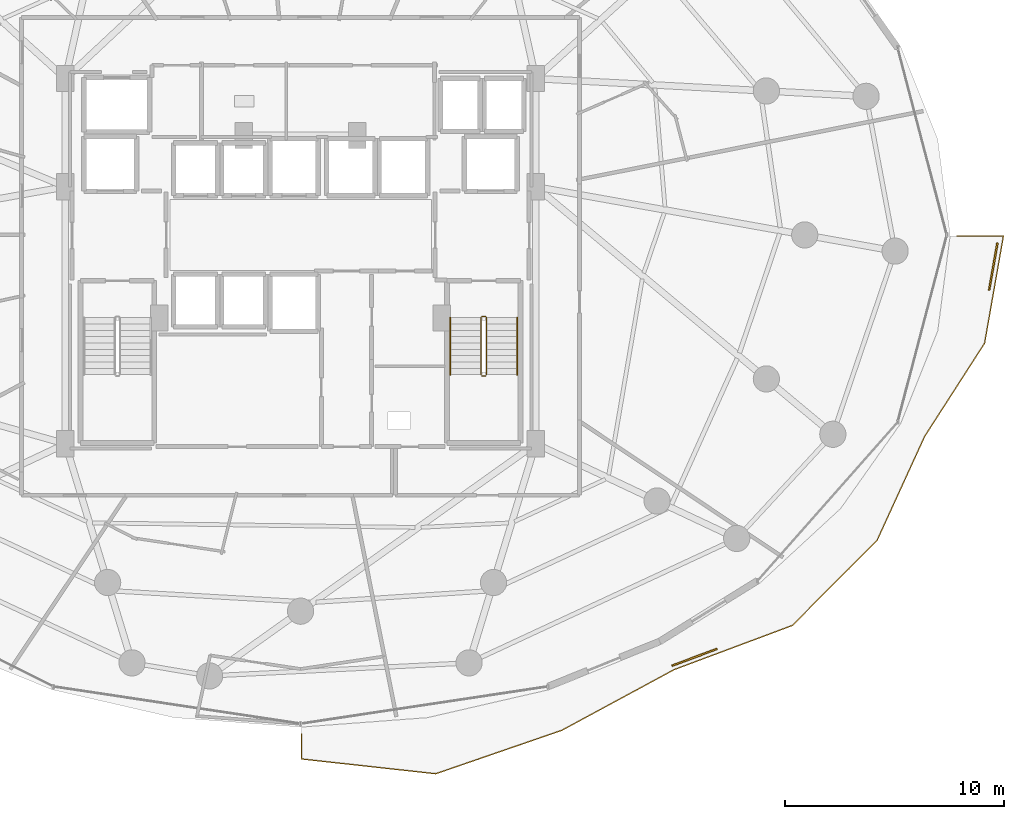
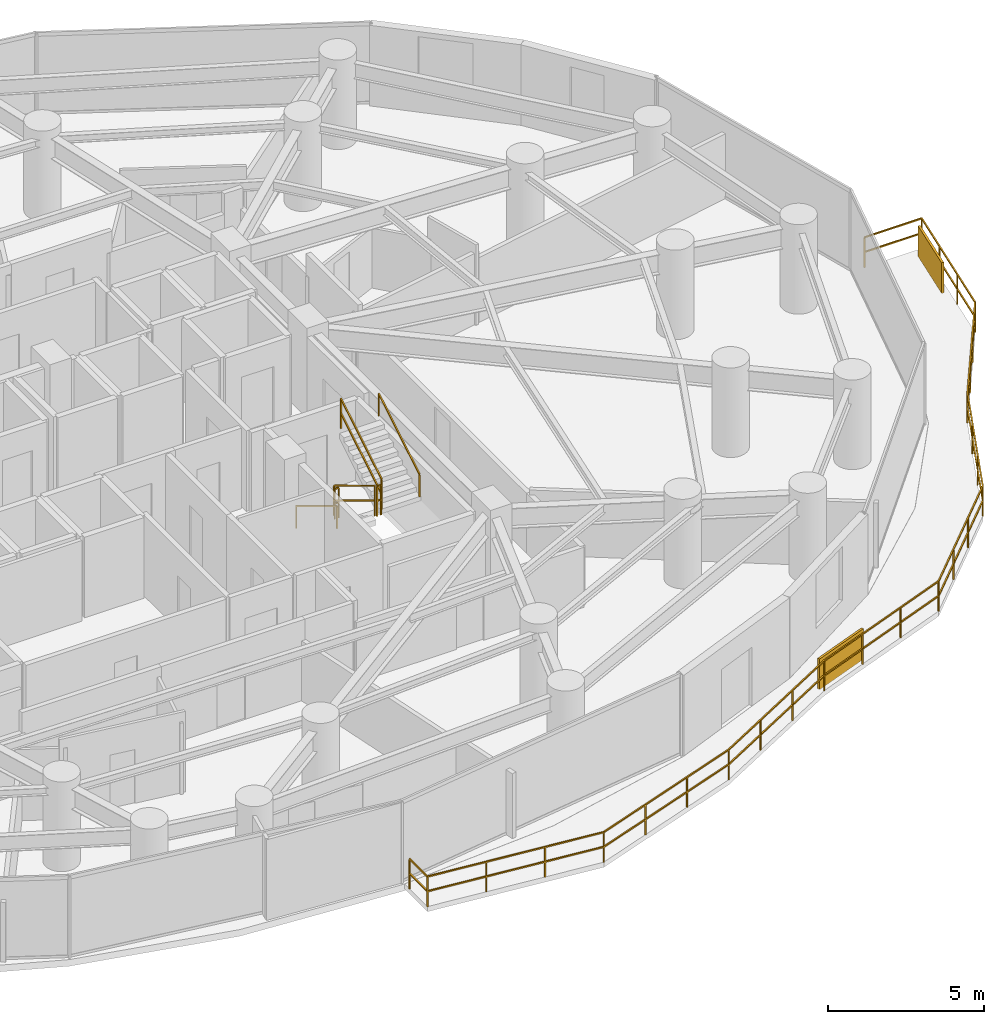
# One storey, part 32 of 34: 8 railings, 2 shading devices.
"""IFC4 building model written with IfcOpenShell, lengths in metres."""

from ifc_helpers import new_model, si_unit, direction, frame, origin, origin_2d, place, context, subcontext, project, spatial, rectangle, extrude, material, type_object, element, save


model = new_model("IFC4")

# Units and contexts
model_context = context("Model", 3, precision=1e-05, world=origin(), true_north=direction((0.0, 1.0)))
body_context = subcontext(model_context, "Body", "Model", "MODEL_VIEW")
ifc_project = project(units=[si_unit("LENGTHUNIT", "METRE"), si_unit("AREAUNIT", "SQUARE_METRE"), si_unit("VOLUMEUNIT", "CUBIC_METRE"), si_unit("PLANEANGLEUNIT", "RADIAN"), si_unit("MASSUNIT", "GRAM", prefix="KILO")], contexts=[model_context])

# Site, building, storey
site_placement = place(None, origin())
site = spatial("IfcSite", under=ifc_project, at=site_placement, CompositionType="ELEMENT")
building_placement = place(site_placement, origin())
building = spatial("IfcBuilding", under=site, at=building_placement, Name="Vorneva Point Tower", CompositionType="ELEMENT")
storey_placement = place(building_placement, frame((0.0, 0.0, 66.0)))
storey = spatial("IfcBuildingStorey", under=building, at=storey_placement, Name="L17", CompositionType="ELEMENT", Elevation=66.0)

# Railings
ifc_material_1 = material(Name="Pale anodised aluminium", Category="aluminium")
railing_type_1 = type_object("IfcRailingType", Name="RL-BAL-1200", PredefinedType="BALUSTRADE", material=ifc_material_1)
railing_1_placement = place(storey_placement, frame((69.2744140625, 21.047119140625, 0.0)))
element("IfcRailing", 1, at=railing_1_placement, inside=storey, type_object=railing_type_1, Name="L17 Wave Balcony Balustrade SE.1", PredefinedType="BALUSTRADE", context=body_context, shape_type="SweptSolid", body=[
    extrude(rectangle(XDim=0.048095703125, YDim=0.048095703125, at=origin_2d()), frame((0.0, 0.0, 1.17578125), z_axis=(0.173125012369, 0.9848998579, 0.0), x_axis=(-0.9848998579, 0.173125012369, 0.0)), (0.0, 0.0, 1.0), 4.97802734375),
    extrude(rectangle(XDim=0.048095703125, YDim=0.048095703125, at=origin_2d()), frame((0.0, 0.0, 0.60009765625), z_axis=(0.173125012369, 0.9848998579, 0.0), x_axis=(-0.9848998579, 0.173125012369, 0.0)), (0.0, 0.0, 1.0), 4.97802734375),
    extrude(rectangle(XDim=0.048095703125, YDim=0.048095703125, at=origin_2d()), frame((0.86181640625, 4.90283203125, 1.17578125), z_axis=(-1.0, 0.0, 0.0), x_axis=(0.0, -1.0, 0.0)), (0.0, 0.0, 1.0), 2.1201171875),
    extrude(rectangle(XDim=0.048095703125, YDim=0.048095703125, at=origin_2d()), frame((0.86181640625, 4.90283203125, 0.60009765625), z_axis=(-1.0, 0.0, 0.0), x_axis=(0.0, -1.0, 0.0)), (0.0, 0.0, 1.0), 2.1201171875),
    extrude(rectangle(XDim=0.0419921875, YDim=0.0419921875, at=origin_2d()), origin(), (0.0, 0.0, 1.0), 1.15185546875),
    extrude(rectangle(XDim=0.0419921875, YDim=0.0419921875, at=origin_2d()), frame((0.287353515625, 1.63427734375, 0.0)), (0.0, 0.0, 1.0), 1.15185546875),
    extrude(rectangle(XDim=0.0419921875, YDim=0.0419921875, at=origin_2d()), frame((0.574462890625, 3.2685546875, 0.0)), (0.0, 0.0, 1.0), 1.15185546875),
    extrude(rectangle(XDim=0.0419921875, YDim=0.0419921875, at=origin_2d()), frame((0.86181640625, 4.90283203125, 0.0)), (0.0, 0.0, 1.0), 1.15185546875),
    extrude(rectangle(XDim=0.0419921875, YDim=0.0419921875, at=origin_2d()), frame((-1.25830078125, 4.90283203125, 0.0)), (0.0, 0.0, 1.0), 1.15185546875),
])
railing_2_placement = place(storey_placement, frame((38.050048828125, 3.182861328125, 0.0)))
element("IfcRailing", 2, at=railing_2_placement, inside=storey, type_object=railing_type_1, Name="L17 Wave Balcony Balustrade SE.2", PredefinedType="BALUSTRADE", context=body_context, shape_type="SweptSolid", body=[
    extrude(rectangle(XDim=0.048095703125, YDim=0.048095703125, at=origin_2d()), frame((0.0, 0.0, 1.17578125), z_axis=(0.0, -1.0, 0.0), x_axis=(1.0, 0.0, 0.0)), (0.0, 0.0, 1.0), 1.143310546875),
    extrude(rectangle(XDim=0.048095703125, YDim=0.048095703125, at=origin_2d()), frame((0.0, 0.0, 0.60009765625), z_axis=(0.0, -1.0, 0.0), x_axis=(1.0, 0.0, 0.0)), (0.0, 0.0, 1.0), 1.143310546875),
    extrude(rectangle(XDim=0.048095703125, YDim=0.048095703125, at=origin_2d()), frame((0.0, -1.143310546875, 1.17578125), z_axis=(0.993993295129, -0.109440985188, 0.0), x_axis=(0.109440985188, 0.993993295129, 0.0)), (0.0, 0.0, 1.0), 6.168212890625),
    extrude(rectangle(XDim=0.048095703125, YDim=0.048095703125, at=origin_2d()), frame((0.0, -1.143310546875, 0.60009765625), z_axis=(0.993993295129, -0.109440985188, 0.0), x_axis=(0.109440985188, 0.993993295129, 0.0)), (0.0, 0.0, 1.0), 6.168212890625),
    extrude(rectangle(XDim=0.048095703125, YDim=0.048095703125, at=origin_2d()), frame((6.131103515625, -1.818359375, 1.17578125), z_axis=(0.945437599606, 0.32580323088, 0.0), x_axis=(-0.32580323088, 0.945437599606, 0.0)), (0.0, 0.0, 1.0), 6.101318359375),
    extrude(rectangle(XDim=0.048095703125, YDim=0.048095703125, at=origin_2d()), frame((6.131103515625, -1.818359375, 0.60009765625), z_axis=(0.945437599606, 0.32580323088, 0.0), x_axis=(-0.32580323088, 0.945437599606, 0.0)), (0.0, 0.0, 1.0), 6.101318359375),
    extrude(rectangle(XDim=0.048095703125, YDim=0.048095703125, at=origin_2d()), frame((11.8994140625, 0.16943359375, 1.17578125), z_axis=(0.879801939077, 0.475340454829, 0.0), x_axis=(-0.475340454829, 0.879801939077, 0.0)), (0.0, 0.0, 1.0), 5.841796875),
    extrude(rectangle(XDim=0.048095703125, YDim=0.048095703125, at=origin_2d()), frame((11.8994140625, 0.16943359375, 0.60009765625), z_axis=(0.879801939077, 0.475340454829, 0.0), x_axis=(-0.475340454829, 0.879801939077, 0.0)), (0.0, 0.0, 1.0), 5.841796875),
    extrude(rectangle(XDim=0.048095703125, YDim=0.048095703125, at=origin_2d()), frame((17.0390625, 2.9462890625, 1.17578125), z_axis=(0.936825380414, 0.349797379366, 0.0), x_axis=(-0.349797379366, 0.936825380414, 0.0)), (0.0, 0.0, 1.0), 5.751708984375),
    extrude(rectangle(XDim=0.048095703125, YDim=0.048095703125, at=origin_2d()), frame((17.0390625, 2.9462890625, 0.60009765625), z_axis=(0.936825380414, 0.349797379366, 0.0), x_axis=(-0.349797379366, 0.936825380414, 0.0)), (0.0, 0.0, 1.0), 5.751708984375),
    extrude(rectangle(XDim=0.048095703125, YDim=0.048095703125, at=origin_2d()), frame((22.427490234375, 4.958251953125, 1.17578125), z_axis=(0.706084277619, 0.708127808308, 0.0), x_axis=(-0.708127808308, 0.706084277619, 0.0)), (0.0, 0.0, 1.0), 5.49560546875),
    extrude(rectangle(XDim=0.048095703125, YDim=0.048095703125, at=origin_2d()), frame((22.427490234375, 4.958251953125, 0.60009765625), z_axis=(0.706084277619, 0.708127808308, 0.0), x_axis=(-0.708127808308, 0.706084277619, 0.0)), (0.0, 0.0, 1.0), 5.49560546875),
    extrude(rectangle(XDim=0.048095703125, YDim=0.048095703125, at=origin_2d()), frame((26.307861328125, 8.849853515625, 1.17578125), z_axis=(0.416265850163, 0.909242949925, 0.0), x_axis=(-0.909242949925, 0.416265850163, 0.0)), (0.0, 0.0, 1.0), 5.232177734375),
    extrude(rectangle(XDim=0.048095703125, YDim=0.048095703125, at=origin_2d()), frame((26.307861328125, 8.849853515625, 0.60009765625), z_axis=(0.416265850163, 0.909242949925, 0.0), x_axis=(-0.909242949925, 0.416265850163, 0.0)), (0.0, 0.0, 1.0), 5.232177734375),
    extrude(rectangle(XDim=0.048095703125, YDim=0.048095703125, at=origin_2d()), frame((28.48583984375, 13.607177734375, 1.17578125), z_axis=(0.541013524432, 0.841013891907, 0.0), x_axis=(-0.841013891907, 0.541013524432, 0.0)), (0.0, 0.0, 1.0), 5.061767578125),
    extrude(rectangle(XDim=0.048095703125, YDim=0.048095703125, at=origin_2d()), frame((28.48583984375, 13.607177734375, 0.60009765625), z_axis=(0.541013524432, 0.841013891907, 0.0), x_axis=(-0.841013891907, 0.541013524432, 0.0)), (0.0, 0.0, 1.0), 5.061767578125),
    extrude(rectangle(XDim=0.0419921875, YDim=0.0419921875, at=origin_2d()), origin(), (0.0, 0.0, 1.0), 1.15185546875),
    extrude(rectangle(XDim=0.0419921875, YDim=0.0419921875, at=origin_2d()), frame((0.0, -1.143310546875, 0.0)), (0.0, 0.0, 1.0), 1.15185546875),
    extrude(rectangle(XDim=0.0419921875, YDim=0.0419921875, at=origin_2d()), frame((2.043701171875, -1.368408203125, 0.0)), (0.0, 0.0, 1.0), 1.15185546875),
    extrude(rectangle(XDim=0.0419921875, YDim=0.0419921875, at=origin_2d()), frame((4.08740234375, -1.59326171875, 0.0)), (0.0, 0.0, 1.0), 1.15185546875),
    extrude(rectangle(XDim=0.0419921875, YDim=0.0419921875, at=origin_2d()), frame((6.131103515625, -1.818359375, 0.0)), (0.0, 0.0, 1.0), 1.15185546875),
    extrude(rectangle(XDim=0.0419921875, YDim=0.0419921875, at=origin_2d()), frame((8.053955078125, -1.15576171875, 0.0)), (0.0, 0.0, 1.0), 1.15185546875),
    extrude(rectangle(XDim=0.0419921875, YDim=0.0419921875, at=origin_2d()), frame((9.9765625, -0.4931640625, 0.0)), (0.0, 0.0, 1.0), 1.15185546875),
    extrude(rectangle(XDim=0.0419921875, YDim=0.0419921875, at=origin_2d()), frame((11.8994140625, 0.16943359375, 0.0)), (0.0, 0.0, 1.0), 1.15185546875),
    extrude(rectangle(XDim=0.0419921875, YDim=0.0419921875, at=origin_2d()), frame((13.612548828125, 1.094970703125, 0.0)), (0.0, 0.0, 1.0), 1.15185546875),
    extrude(rectangle(XDim=0.0419921875, YDim=0.0419921875, at=origin_2d()), frame((15.325927734375, 2.020751953125, 0.0)), (0.0, 0.0, 1.0), 1.15185546875),
    extrude(rectangle(XDim=0.0419921875, YDim=0.0419921875, at=origin_2d()), frame((17.0390625, 2.9462890625, 0.0)), (0.0, 0.0, 1.0), 1.15185546875),
    extrude(rectangle(XDim=0.0419921875, YDim=0.0419921875, at=origin_2d()), frame((18.835205078125, 3.616943359375, 0.0)), (0.0, 0.0, 1.0), 1.15185546875),
    extrude(rectangle(XDim=0.0419921875, YDim=0.0419921875, at=origin_2d()), frame((20.63134765625, 4.28759765625, 0.0)), (0.0, 0.0, 1.0), 1.15185546875),
    extrude(rectangle(XDim=0.0419921875, YDim=0.0419921875, at=origin_2d()), frame((22.427490234375, 4.958251953125, 0.0)), (0.0, 0.0, 1.0), 1.15185546875),
    extrude(rectangle(XDim=0.0419921875, YDim=0.0419921875, at=origin_2d()), frame((23.720947265625, 6.25537109375, 0.0)), (0.0, 0.0, 1.0), 1.15185546875),
    extrude(rectangle(XDim=0.0419921875, YDim=0.0419921875, at=origin_2d()), frame((25.014404296875, 7.552734375, 0.0)), (0.0, 0.0, 1.0), 1.15185546875),
    extrude(rectangle(XDim=0.0419921875, YDim=0.0419921875, at=origin_2d()), frame((26.307861328125, 8.849853515625, 0.0)), (0.0, 0.0, 1.0), 1.15185546875),
    extrude(rectangle(XDim=0.0419921875, YDim=0.0419921875, at=origin_2d()), frame((27.033935546875, 10.435546875, 0.0)), (0.0, 0.0, 1.0), 1.15185546875),
    extrude(rectangle(XDim=0.0419921875, YDim=0.0419921875, at=origin_2d()), frame((27.759765625, 12.021484375, 0.0)), (0.0, 0.0, 1.0), 1.15185546875),
    extrude(rectangle(XDim=0.0419921875, YDim=0.0419921875, at=origin_2d()), frame((28.48583984375, 13.607177734375, 0.0)), (0.0, 0.0, 1.0), 1.15185546875),
    extrude(rectangle(XDim=0.0419921875, YDim=0.0419921875, at=origin_2d()), frame((29.398681640625, 15.026123046875, 0.0)), (0.0, 0.0, 1.0), 1.15185546875),
    extrude(rectangle(XDim=0.0419921875, YDim=0.0419921875, at=origin_2d()), frame((30.3115234375, 16.4453125, 0.0)), (0.0, 0.0, 1.0), 1.15185546875),
    extrude(rectangle(XDim=0.0419921875, YDim=0.0419921875, at=origin_2d()), frame((31.224365234375, 17.8642578125, 0.0)), (0.0, 0.0, 1.0), 1.15185546875),
])
ifc_material_2 = material(Name="Brushed stainless steel S304", Category="steel")
railing_type_2 = type_object("IfcRailingType", Name="RL-HND-920", PredefinedType="HANDRAIL", material=ifc_material_2)
railing_3_placement = place(storey_placement, frame((44.85009765625, 22.219970703125, 0.175048828125)))
element("IfcRailing", 3, at=railing_3_placement, inside=storey, type_object=railing_type_2, Name="L17 ST2 stair handrail 1", PredefinedType="HANDRAIL", context=body_context, shape_type="SweptSolid", body=[
    extrude(rectangle(XDim=0.048095703125, YDim=0.048095703125, at=origin_2d()), frame((0.0, 0.0, 0.8759765625), z_axis=(0.0, -0.85618277418, 0.516673066065), x_axis=(1.0, 0.0, 0.0)), (0.0, 0.0, 1.0), 3.04833984375),
    extrude(rectangle(XDim=0.0419921875, YDim=0.0419921875, at=origin_2d()), origin(), (0.0, 0.0, 1.0), 0.851806640625),
    extrude(rectangle(XDim=0.0419921875, YDim=0.0419921875, at=origin_2d()), frame((0.0, -2.60986328125, 1.574951171875)), (0.0, 0.0, 1.0), 0.851806640625),
])
railing_4_placement = place(storey_placement, frame((47.89990234375, 19.610107421875, 1.925048828125)))
element("IfcRailing", 4, at=railing_4_placement, inside=storey, type_object=railing_type_2, Name="L17 ST2 stair handrail 2", PredefinedType="HANDRAIL", context=body_context, shape_type="SweptSolid", body=[
    extrude(rectangle(XDim=0.048095703125, YDim=0.048095703125, at=origin_2d()), frame((0.0, 0.0, 0.8759765625), z_axis=(0.0, 0.85618277418, 0.516673066065), x_axis=(-1.0, 0.0, 0.0)), (0.0, 0.0, 1.0), 3.04833984375),
    extrude(rectangle(XDim=0.0419921875, YDim=0.0419921875, at=origin_2d()), origin(), (0.0, 0.0, 1.0), 0.851806640625),
    extrude(rectangle(XDim=0.0419921875, YDim=0.0419921875, at=origin_2d()), frame((0.0, 2.60986328125, 1.574951171875)), (0.0, 0.0, 1.0), 0.851806640625),
])
railing_type_3 = type_object("IfcRailingType", Name="RL-STG-1100", PredefinedType="GUARDRAIL", material=ifc_material_2)
railing_5_placement = place(storey_placement, frame((46.25, 22.219970703125, 0.175048828125)))
element("IfcRailing", 5, at=railing_5_placement, inside=storey, type_object=railing_type_3, Name="L17 ST2 stair guard 1", PredefinedType="GUARDRAIL", context=body_context, shape_type="SweptSolid", body=[
    extrude(rectangle(XDim=0.048095703125, YDim=0.048095703125, at=origin_2d()), frame((0.0, 0.0, 1.17578125), z_axis=(0.0, -0.85618277418, 0.516673066065), x_axis=(1.0, 0.0, 0.0)), (0.0, 0.0, 1.0), 3.04833984375),
    extrude(rectangle(XDim=0.048095703125, YDim=0.048095703125, at=origin_2d()), frame((0.0, 0.0, 0.60009765625), z_axis=(0.0, -0.85618277418, 0.516673066065), x_axis=(1.0, 0.0, 0.0)), (0.0, 0.0, 1.0), 3.04833984375),
    extrude(rectangle(XDim=0.0419921875, YDim=0.0419921875, at=origin_2d()), origin(), (0.0, 0.0, 1.0), 1.15185546875),
    extrude(rectangle(XDim=0.0419921875, YDim=0.0419921875, at=origin_2d()), frame((0.0, -2.60986328125, 1.574951171875)), (0.0, 0.0, 1.0), 1.15185546875),
])
railing_6_placement = place(storey_placement, frame((46.300048828125, 19.56005859375, 1.75)))
element("IfcRailing", 6, at=railing_6_placement, inside=storey, type_object=railing_type_3, Name="L17 ST2 stair guard 2", PredefinedType="GUARDRAIL", context=body_context, shape_type="SweptSolid", body=[
    extrude(rectangle(XDim=0.048095703125, YDim=0.048095703125, at=origin_2d()), frame((0.0, 0.0, 1.17578125), z_axis=(1.0, 0.0, 0.0), x_axis=(0.0, 1.0, 0.0)), (0.0, 0.0, 1.0), 0.14990234375),
    extrude(rectangle(XDim=0.048095703125, YDim=0.048095703125, at=origin_2d()), frame((0.0, 0.0, 0.60009765625), z_axis=(1.0, 0.0, 0.0), x_axis=(0.0, 1.0, 0.0)), (0.0, 0.0, 1.0), 0.14990234375),
    extrude(rectangle(XDim=0.0419921875, YDim=0.0419921875, at=origin_2d()), origin(), (0.0, 0.0, 1.0), 1.15185546875),
    extrude(rectangle(XDim=0.0419921875, YDim=0.0419921875, at=origin_2d()), frame((0.14990234375, 0.0, 0.0)), (0.0, 0.0, 1.0), 1.15185546875),
])
railing_7_placement = place(storey_placement, frame((46.5, 19.610107421875, 1.925048828125)))
element("IfcRailing", 7, at=railing_7_placement, inside=storey, type_object=railing_type_3, Name="L17 ST2 stair guard 3", PredefinedType="GUARDRAIL", context=body_context, shape_type="SweptSolid", body=[
    extrude(rectangle(XDim=0.048095703125, YDim=0.048095703125, at=origin_2d()), frame((0.0, 0.0, 1.17578125), z_axis=(0.0, 0.85618277418, 0.516673066065), x_axis=(-1.0, 0.0, 0.0)), (0.0, 0.0, 1.0), 3.04833984375),
    extrude(rectangle(XDim=0.048095703125, YDim=0.048095703125, at=origin_2d()), frame((0.0, 0.0, 0.60009765625), z_axis=(0.0, 0.85618277418, 0.516673066065), x_axis=(-1.0, 0.0, 0.0)), (0.0, 0.0, 1.0), 3.04833984375),
    extrude(rectangle(XDim=0.0419921875, YDim=0.0419921875, at=origin_2d()), origin(), (0.0, 0.0, 1.0), 1.15185546875),
    extrude(rectangle(XDim=0.0419921875, YDim=0.0419921875, at=origin_2d()), frame((0.0, 2.60986328125, 1.574951171875)), (0.0, 0.0, 1.0), 1.15185546875),
])
railing_8_placement = place(storey_placement, frame((46.300048828125, 22.27001953125, 0.0)))
element("IfcRailing", 8, at=railing_8_placement, inside=storey, type_object=railing_type_3, Name="L17 ST2 stair guard 4", PredefinedType="GUARDRAIL", context=body_context, shape_type="SweptSolid", body=[
    extrude(rectangle(XDim=0.048095703125, YDim=0.048095703125, at=origin_2d()), frame((0.0, 0.0, 1.17578125), z_axis=(1.0, 0.0, 0.0), x_axis=(0.0, 1.0, 0.0)), (0.0, 0.0, 1.0), 0.14990234375),
    extrude(rectangle(XDim=0.048095703125, YDim=0.048095703125, at=origin_2d()), frame((0.0, 0.0, 0.60009765625), z_axis=(1.0, 0.0, 0.0), x_axis=(0.0, 1.0, 0.0)), (0.0, 0.0, 1.0), 0.14990234375),
    extrude(rectangle(XDim=0.0419921875, YDim=0.0419921875, at=origin_2d()), origin(), (0.0, 0.0, 1.0), 1.15185546875),
    extrude(rectangle(XDim=0.0419921875, YDim=0.0419921875, at=origin_2d()), frame((0.14990234375, 0.0, 0.0)), (0.0, 0.0, 1.0), 1.15185546875),
])

# Shading devices
shading_device_type = type_object("IfcShadingDeviceType", Name="SHD-JAL-1200", PredefinedType="JALOUSIE", material=ifc_material_1)
for number, where, z_axis, x_axis, name in (
    (9, (69.669189453125, 24.552490234375, -0.02001953125), (0.0, 0.0, 1.0), (0.173098130203, 0.984904582851, 0.0), "L17 Balcony Vertical-Greenery Planter Screen SE.1"),
    (10, (56.01025390625, 6.68994140625, -0.02001953125), (0.0, 0.0, 1.0), (0.936818801595, 0.349814998218, 0.0), "L17 Balcony Vertical-Greenery Planter Screen SE.2"),
):
    element("IfcShadingDevice", number, at=place(storey_placement, frame(where, z_axis=z_axis, x_axis=x_axis)), inside=storey, type_object=shading_device_type, Name=name, PredefinedType="JALOUSIE", context=body_context, shape_type="SweptSolid", body=[
        extrude(rectangle(XDim=2.199951171875, YDim=0.080078125, at=origin_2d()), origin(), (0.0, 0.0, 1.0), 1.199951171875),
    ])

save(model, "model.ifc")
